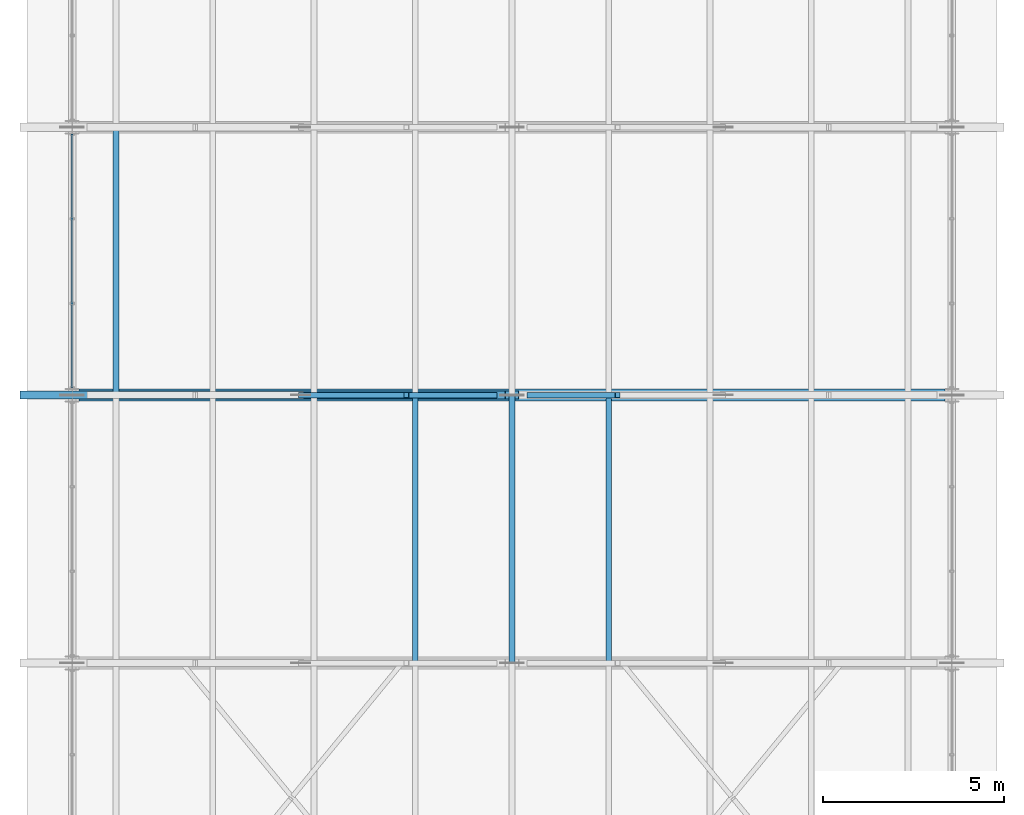
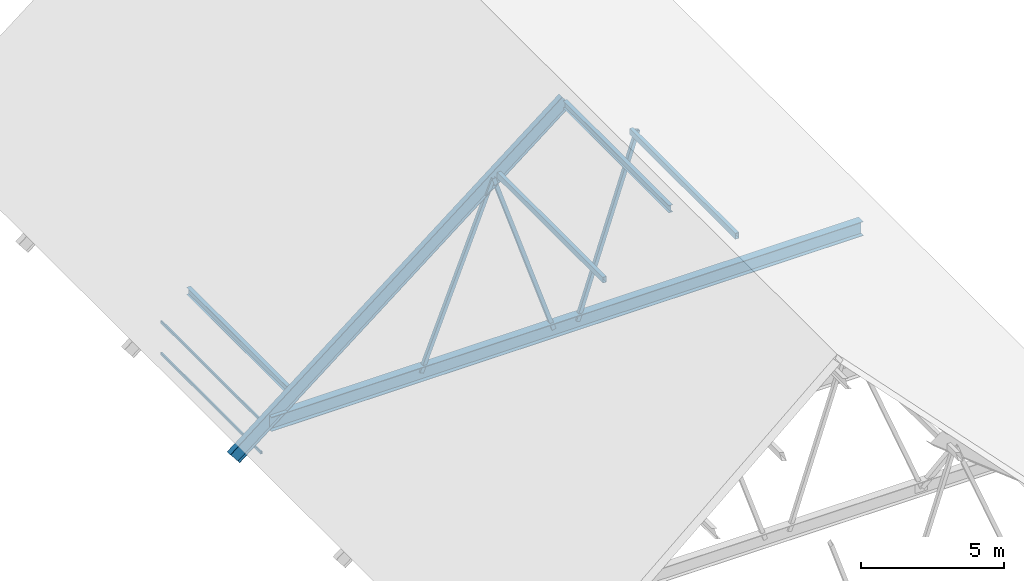
# One storey, part 25 of 44: 10 members, 1 beam, 1 element without a shape of its own.
"""IFC4 building model written with IfcOpenShell, lengths in metres."""

from ifc_helpers import new_model, si_unit, direction, frame, origin, origin_2d, place, context, subcontext, project, spatial, hollow_rectangle, i_section, extrude, material, material_profile, profile_set, type_object, element, aggregate, save


model = new_model("IFC4")

# Units and contexts
model_context = context("Model", 3, precision=1e-05, world=origin(), true_north=direction((0.0, 1.0)))
body_context = subcontext(model_context, "Body", "Model", "MODEL_VIEW")
ifc_project = project(units=[si_unit("LENGTHUNIT", "METRE"), si_unit("AREAUNIT", "SQUARE_METRE"), si_unit("VOLUMEUNIT", "CUBIC_METRE"), si_unit("PLANEANGLEUNIT", "RADIAN"), si_unit("MASSUNIT", "GRAM", prefix="KILO")], contexts=[model_context])

# Site, building, storey
site_placement = place(None, origin())
site = spatial("IfcSite", under=ifc_project, at=site_placement, CompositionType="ELEMENT")
building_placement = place(site_placement, origin())
building = spatial("IfcBuilding", under=site, at=building_placement, Name="Cimatlan Art Gallery", CompositionType="ELEMENT")
storey_placement = place(building_placement, frame((0.0, 0.0, 26.39990234375)))
storey = spatial("IfcBuildingStorey", under=building, at=storey_placement, Name="Roof", CompositionType="ELEMENT", Elevation=26.39990234375)

# Beam
ifc_material_1 = material(Name="Steel ASTM A992 Grade 50", Category="steel")
ifc_material_profile_1 = material_profile(ifc_material_1, i_section(OverallWidth=0.22802734375, OverallDepth=0.60791015625, WebThickness=0.01123046875, FlangeThickness=0.017333984375, at=origin_2d()), Name="W24X76")
ifc_profile_set_1 = profile_set([ifc_material_profile_1], Name="Steel ASTM A992 Grade 50")
beam_type = type_object("IfcBeamType", Name="BM-TRS-RAF", PredefinedType="BEAM", material=ifc_profile_set_1)
beam_placement = place(storey_placement, frame((73.64990234375, 60.89990234375, 0.412353515625), z_axis=(0.78463826569, 0.0, 0.619953862812), x_axis=(0.0, 1.0, 0.0)))
element("IfcBeam", 1, at=beam_placement, inside=storey, type_object=beam_type, Name="TRS-06-RAF-W", PredefinedType="BEAM", context=body_context, shape_type="SweptSolid", body=[
    extrude(i_section(OverallWidth=0.22802734375, OverallDepth=0.60791015625, WebThickness=0.01123046875, FlangeThickness=0.017333984375, at=origin_2d()), origin(), (0.0, 0.0, 1.0), 17.078125),
])

# Curtain wall, members
ifc_material_2 = material(Name="Anodised bronze unitised curtain wall")
curtain_wall_type = type_object("IfcCurtainWallType", Name="CW-V-07010X01450-B3", PredefinedType="NOTDEFINED", material=ifc_material_2)
curtain_wall_placement = place(storey_placement, origin())
curtain_wall = element("IfcCurtainWall", 2, at=curtain_wall_placement, inside=storey, type_object=curtain_wall_type, Name="CW-CRW-W-08", PredefinedType="NOTDEFINED")
ifc_material_3 = material(Name="Anodised bronze aluminium 6063-T6", Category="aluminium")
ifc_material_profile_2 = material_profile(ifc_material_3, hollow_rectangle(XDim=0.06005859375, YDim=0.110107421875, WallThickness=0.00341796875, at=origin_2d()), Name="ALU60X110X3")
ifc_profile_set_2 = profile_set([ifc_material_profile_2], Name="Anodised bronze aluminium 6063-T6")
member_type_1 = type_object("IfcMemberType", Name="CW-TRN-110", PredefinedType="USERDEFINED", material=ifc_profile_set_2)
member_1_placement = place(storey_placement, frame((74.89990234375, 61.094970703125, 0.050048828125), z_axis=(0.0, 1.0, 0.0), x_axis=(-1.0, 0.0, 0.0)))
member_1 = element("IfcMember", 3, at=member_1_placement, type_object=member_type_1, Name="CW-CRW-W-08-T1", ObjectType="TRANSOM", PredefinedType="USERDEFINED", context=body_context, shape_type="SweptSolid", body=[
    extrude(hollow_rectangle(XDim=0.06005859375, YDim=0.110107421875, WallThickness=0.00341796875, at=origin_2d()), origin(), (0.0, 0.0, 1.0), 7.010009765625),
])
member_2_placement = place(storey_placement, frame((74.89990234375, 61.094970703125, 1.400146484375), z_axis=(0.0, 1.0, 0.0), x_axis=(-1.0, 0.0, 0.0)))
member_2 = element("IfcMember", 4, at=member_2_placement, type_object=member_type_1, Name="CW-CRW-W-08-T2", ObjectType="TRANSOM", PredefinedType="USERDEFINED", context=body_context, shape_type="SweptSolid", body=[
    extrude(hollow_rectangle(XDim=0.06005859375, YDim=0.110107421875, WallThickness=0.00341796875, at=origin_2d()), origin(), (0.0, 0.0, 1.0), 7.010009765625),
])
aggregate(curtain_wall, [member_1, member_2])

# Members
ifc_material_4 = material(Name="Steel ASTM A500 Grade C", Category="steel")
ifc_material_profile_3 = material_profile(ifc_material_4, hollow_rectangle(XDim=0.14990234375, YDim=0.25, WallThickness=0.010009765625, at=origin_2d()), Name="HSS250X150X10")
ifc_profile_set_3 = profile_set([ifc_material_profile_3], Name="Steel ASTM A500 Grade C")
member_type_2 = type_object("IfcMemberType", Name="MBR-PUR-C250", PredefinedType="PURLIN", material=ifc_profile_set_3)
for number, where, z_axis, x_axis, name in (
    (5, (84.376953125, 53.5, 8.72802734375), (0.0, 1.0, 0.0), (-1.0, 0.0, 0.0), "PUR-V1-B5-W1"),
    (6, (89.722900390625, 53.5, 8.72802734375), (0.0, 1.0, 0.0), (-1.0, 0.0, 0.0), "PUR-V1-B5-E1"),
):
    element("IfcMember", number, at=place(storey_placement, frame(where, z_axis=z_axis, x_axis=x_axis)), inside=storey, type_object=member_type_2, Name=name, PredefinedType="PURLIN", context=body_context, shape_type="SweptSolid", body=[
        extrude(hollow_rectangle(XDim=0.14990234375, YDim=0.25, WallThickness=0.010009765625, at=origin_2d()), origin(), (0.0, 0.0, 1.0), 7.39990234375),
    ])
ifc_material_profile_4 = material_profile(ifc_material_1, i_section(OverallWidth=0.1650390625, OverallDepth=0.31005859375, WebThickness=0.005859375, FlangeThickness=0.009765625, at=origin_2d()), Name="W12X26")
ifc_profile_set_4 = profile_set([ifc_material_profile_4], Name="Steel ASTM A992 Grade 50")
member_type_3 = type_object("IfcMemberType", Name="MBR-PUR-W12", PredefinedType="PURLIN", material=ifc_profile_set_4)
member_3_placement = place(storey_placement, frame((87.050048828125, 53.5, 10.820068359375), z_axis=(0.0, 1.0, 0.0), x_axis=(-1.0, 0.0, 0.0)))
element("IfcMember", 7, at=member_3_placement, inside=storey, type_object=member_type_3, Name="PUR-V1-B5-RDG", PredefinedType="PURLIN", context=body_context, shape_type="SweptSolid", body=[
    extrude(i_section(OverallWidth=0.1650390625, OverallDepth=0.31005859375, WebThickness=0.005859375, FlangeThickness=0.009765625, at=origin_2d()), origin(), (0.0, 0.0, 1.0), 7.39990234375),
])
member_4_placement = place(storey_placement, frame((76.114990234375, 60.89990234375, 2.2001953125), z_axis=(0.0, 1.0, 0.0), x_axis=(-1.0, 0.0, 0.0)))
element("IfcMember", 8, at=member_4_placement, inside=storey, type_object=member_type_3, Name="PUR-V1-B6-W4", PredefinedType="PURLIN", context=body_context, shape_type="SweptSolid", body=[
    extrude(i_section(OverallWidth=0.1650390625, OverallDepth=0.31005859375, WebThickness=0.005859375, FlangeThickness=0.009765625, at=origin_2d()), origin(), (0.0, 0.0, 1.0), 7.400146484375),
])
ifc_material_profile_5 = material_profile(ifc_material_4, hollow_rectangle(XDim=0.14990234375, YDim=0.14990234375, WallThickness=0.008056640625, at=origin_2d()), Name="HSS150X150X8")
ifc_profile_set_5 = profile_set([ifc_material_profile_5], Name="Steel ASTM A500 Grade C")
member_type_4 = type_object("IfcMemberType", Name="MBR-TRS-DIAG-2", PredefinedType="BRACE", material=ifc_profile_set_5)
member_5_placement = place(storey_placement, frame((81.218017578125, 60.89990234375, 1.400146484375), z_axis=(0.371133507913, 0.0, 0.928579516953), x_axis=(0.0, 1.0, 0.0)))
element("IfcMember", 9, at=member_5_placement, inside=storey, type_object=member_type_4, Name="TRS-06-DW-3", PredefinedType="BRACE", context=body_context, shape_type="SweptSolid", body=[
    extrude(hollow_rectangle(XDim=0.14990234375, YDim=0.14990234375, WallThickness=0.008056640625, at=origin_2d()), origin(), (0.0, 0.0, 1.0), 7.85693359375),
])
for number, where, z_axis, x_axis, name in (
    (10, (84.134033203125, 60.89990234375, 8.696044921875), (0.315989644699, 0.0, -0.948762638621), (0.0, 1.0, 0.0), "TRS-06-DW-4"),
    (11, (89.966064453125, 60.89990234375, 8.696044921875), (-0.316018222412, 0.0, -0.948753120208), (0.0, -1.0, 0.0), "TRS-06-DE-4"),
):
    element("IfcMember", number, at=place(storey_placement, frame(where, z_axis=z_axis, x_axis=x_axis)), inside=storey, type_object=member_type_4, Name=name, PredefinedType="BRACE", context=body_context, shape_type="SweptSolid", body=[
        extrude(hollow_rectangle(XDim=0.14990234375, YDim=0.14990234375, WallThickness=0.008056640625, at=origin_2d()), origin(), (0.0, 0.0, 1.0), 7.68994140625),
    ])
ifc_material_profile_6 = material_profile(ifc_material_1, i_section(OverallWidth=0.323974609375, OverallDepth=0.611083984375, WebThickness=0.0126953125, FlangeThickness=0.01904296875, at=origin_2d()), Name="W24X104")
ifc_profile_set_6 = profile_set([ifc_material_profile_6], Name="Steel ASTM A992 Grade 50")
member_type_5 = type_object("IfcMemberType", Name="MBR-TRS-TIE", PredefinedType="CHORD", material=ifc_profile_set_6)
member_6_placement = place(storey_placement, frame((75.096923828125, 60.89990234375, 1.400146484375), z_axis=(1.0, 0.0, 0.0), x_axis=(0.0, 1.0, 0.0)))
element("IfcMember", 12, at=member_6_placement, inside=storey, type_object=member_type_5, Name="TRS-06-TIE", PredefinedType="CHORD", context=body_context, shape_type="SweptSolid", body=[
    extrude(i_section(OverallWidth=0.323974609375, OverallDepth=0.611083984375, WebThickness=0.0126953125, FlangeThickness=0.01904296875, at=origin_2d()), origin(), (0.0, 0.0, 1.0), 23.906005859375),
])

save(model, "model.ifc")
